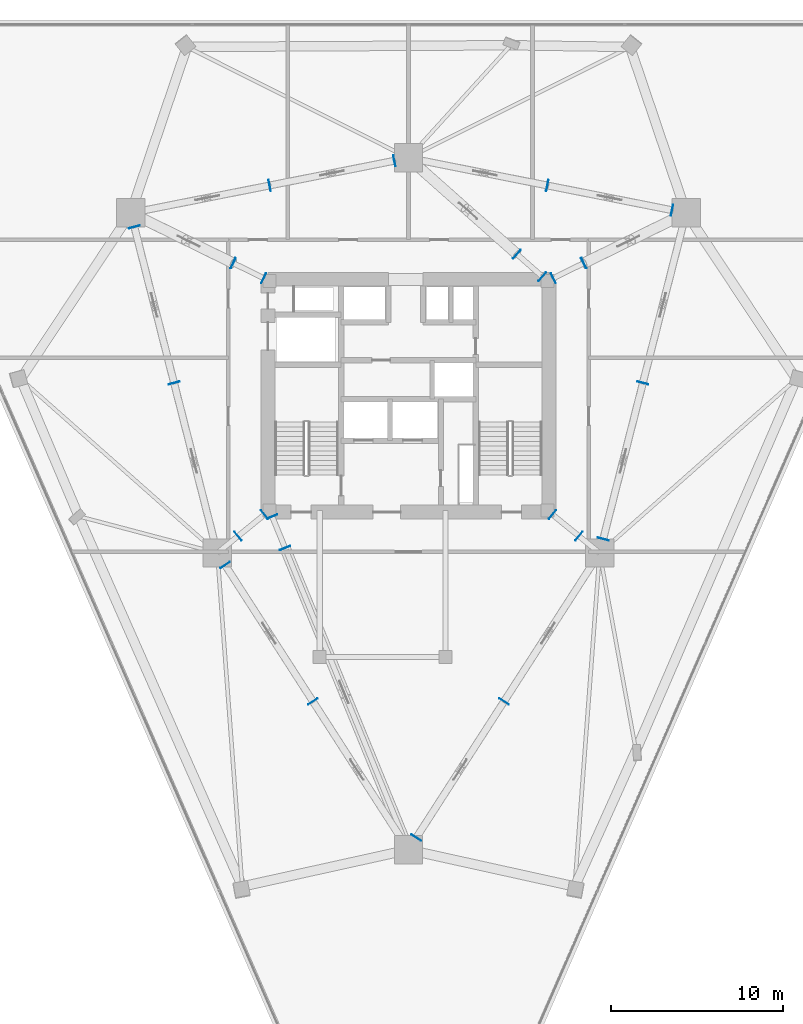
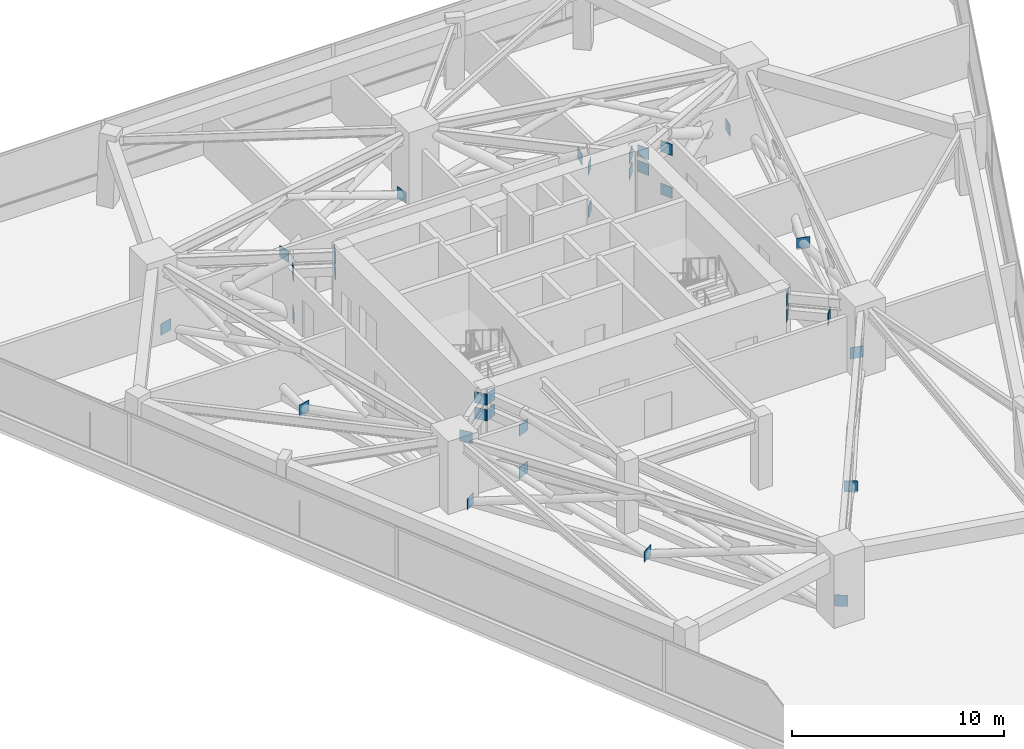
# One storey, part 11 of 15: 34 plates.
"""IFC4 building model written with IfcOpenShell, lengths in metres."""

import ifcopenshell
import ifcopenshell.guid

model = None  # the IFC model being written
_history = None  # IfcOwnerHistory: only IFC2X3 demands one
_inside = {}  # id of a spatial element -> (the spatial element, [elements in it])
_under = {}  # id of a project, library or spatial element -> (it, [spatial elements below it])
_declared = {}  # id of a project -> (the project, [libraries it declares])
_typed = {}  # id of a type object -> (the type object, [elements of that type])
_made_of = {}  # id of a material, layer set ... -> (it, [elements and type objects made of it])


def new_model(schema):
    """Start an empty IFC model of exactly this schema.

    Asked for "IFC4X3", IfcOpenShell would pick the latest addendum, in which some entities
    have other attributes; the version numbers below select the first issue.
    IFC2X3 requires an IfcOwnerHistory on every rooted entity: one is made here for all.
    """
    global model, _history
    if schema == "IFC4X3":
        model = ifcopenshell.file(schema_version=(4, 3, 0, 0))
    else:
        model = ifcopenshell.file(schema=schema)
    _inside.clear()
    _under.clear()
    _declared.clear()
    _typed.clear()
    _made_of.clear()
    _history = None
    if model.schema == "IFC2X3":
        org = make("IfcOrganization", Name="unknown")
        user = make(
            "IfcPersonAndOrganization",
            ThePerson=make("IfcPerson", FamilyName="unknown"),
            TheOrganization=org,
        )
        app = make(
            "IfcApplication",
            ApplicationDeveloper=org,
            Version="unknown",
            ApplicationFullName="unknown",
            ApplicationIdentifier="unknown",
        )
        _history = make(
            "IfcOwnerHistory",
            OwningUser=user,
            OwningApplication=app,
            ChangeAction="ADDED",
            CreationDate=0,
        )
    return model


def make(cls, **values):
    """One entity of the class cls with the attributes given. An attribute that is None is left unset."""
    return model.create_entity(
        cls, **{name: value for name, value in values.items() if value is not None}
    )


def rooted(cls, **values):
    """An entity with a GlobalId (a new one), such as an element, a storey or a relation."""
    return make(cls, GlobalId=ifcopenshell.guid.new(), OwnerHistory=_history, **values)


def si_unit(unit_type, name, prefix=None):
    """IfcSIUnit, for example si_unit("LENGTHUNIT", "METRE", prefix="MILLI")."""
    return make("IfcSIUnit", UnitType=unit_type, Prefix=prefix, Name=name)


def assignment(units):
    """IfcUnitAssignment: the units of a project."""
    return None if units is None else make("IfcUnitAssignment", Units=units)


def point(xyz):
    """IfcCartesianPoint."""
    return None if xyz is None else make("IfcCartesianPoint", Coordinates=xyz)


def direction(xyz):
    """IfcDirection."""
    return None if xyz is None else make("IfcDirection", DirectionRatios=xyz)


def frame(location, z_axis=None, x_axis=None):
    """IfcAxis2Placement3D, a coordinate frame: its origin and axes. An axis left out is left unset."""
    return make(
        "IfcAxis2Placement3D",
        Location=point(location),
        Axis=direction(z_axis),
        RefDirection=direction(x_axis),
    )


def frame_2d(location, x_axis=None):
    """IfcAxis2Placement2D, a coordinate frame in the plane: its origin and x axis."""
    return make(
        "IfcAxis2Placement2D", Location=point(location), RefDirection=direction(x_axis)
    )


def origin():
    """The frame at (0, 0, 0) with its axes left unset."""
    return frame((0.0, 0.0, 0.0))


def origin_2d():
    """The frame at (0, 0) in the plane with its x axis left unset."""
    return frame_2d((0.0, 0.0))


def place(relative_to, where):
    """IfcLocalPlacement: puts the frame where relative to a parent placement (None: the world)."""
    return make(
        "IfcLocalPlacement", PlacementRelTo=relative_to, RelativePlacement=where
    )


def context(
    kind, dimensions, precision=None, world=None, true_north=None, identifier=None
):
    """IfcGeometricRepresentationContext, for example the 3D "Model" context."""
    return make(
        "IfcGeometricRepresentationContext",
        ContextIdentifier=identifier,
        ContextType=kind,
        CoordinateSpaceDimension=dimensions,
        Precision=precision,
        WorldCoordinateSystem=world,
        TrueNorth=true_north,
    )


def subcontext(parent, identifier, kind, view, scale=None):
    """IfcGeometricRepresentationSubContext, for example "Body" below "Model"."""
    return make(
        "IfcGeometricRepresentationSubContext",
        ContextIdentifier=identifier,
        ContextType=kind,
        ParentContext=parent,
        TargetScale=scale,
        TargetView=view,
    )


def project(units=None, contexts=None):
    """IfcProject with its units and contexts."""
    return rooted(
        "IfcProject",
        Name="project",
        RepresentationContexts=contexts,
        UnitsInContext=assignment(units),
    )


def spatial(cls, under=None, at=None, **own):
    """A site, building, storey or space (cls), placed at a placement, below another one or the project."""
    s = rooted(cls, ObjectPlacement=at, **own)
    if under is not None:
        _under.setdefault(under.id(), (under, []))[1].append(s)
    return s


def profile(cls, at=None, kind="AREA", **sizes):
    """A parametric profile (cls). Its sizes go by their IFC names, for example OverallWidth=200.0."""
    return make(cls, ProfileType=kind, Position=at, **sizes)


def rectangle(**sizes):
    """IfcRectangleProfileDef."""
    return profile("IfcRectangleProfileDef", **sizes)


def extrude(swept, where, along, depth):
    """IfcExtrudedAreaSolid: the profile swept, set in the frame where, extruded along a direction by depth."""
    return make(
        "IfcExtrudedAreaSolid",
        SweptArea=swept,
        Position=where,
        ExtrudedDirection=direction(along),
        Depth=depth,
    )


def shape(context_of_items, identifier, shape_type, items):
    """IfcShapeRepresentation: the items that make up one representation, for example the "Body"."""
    return make(
        "IfcShapeRepresentation",
        ContextOfItems=context_of_items,
        RepresentationIdentifier=identifier,
        RepresentationType=shape_type,
        Items=items,
    )


def material(Name=None, Category=None):
    """IfcMaterial."""
    return make("IfcMaterial", Name=Name, Category=Category)


def layer(
    of_material, thickness, ventilated=None, Name=None, Category=None, Priority=None
):
    """IfcMaterialLayer: one layer of a wall or slab, of a material (None: an air gap)."""
    return make(
        "IfcMaterialLayer",
        Material=of_material,
        LayerThickness=thickness,
        IsVentilated=ventilated,
        Name=Name,
        Category=Category,
        Priority=Priority,
    )


def layer_set(layers, Name=None):
    """IfcMaterialLayerSet."""
    return make("IfcMaterialLayerSet", MaterialLayers=layers, LayerSetName=Name)


def made_of(thing, what):
    """Note that an element or type object is made of a material, layer set ...; save() writes the relation."""
    if what is not None:
        _made_of.setdefault(what.id(), (what, []))[1].append(thing)
    return thing


def type_object(cls, material=None, **own):
    """A type object (cls), such as IfcWallType, which elements share."""
    return made_of(rooted(cls, **own), material)


def element(
    cls,
    number,
    at=None,
    inside=None,
    cuts=None,
    type_object=None,
    material=None,
    context=None,
    identifier="Body",
    shape_type=None,
    held_by="IfcProductDefinitionShape",
    body=None,
    shapes=None,
    **own,
):
    """One element of the class cls, such as IfcWall. Its Tag is "e" and its number.

    at: its placement. inside: the storey or other place that contains it. cuts: it is an
    opening in that element (IfcRelVoidsElement). A single representation is given by context,
    identifier, shape_type and body (its items); several are given by shapes. held_by: the class
    of the entity that holds the representations. save() writes the other relations.
    """
    e = rooted(cls, Tag="e%d" % number, ObjectPlacement=at, **own)
    if body is not None:
        shapes = [shape(context, identifier, shape_type, body)]
    if shapes is not None:
        e.Representation = make(held_by, Representations=shapes)
    if inside is not None:
        _inside.setdefault(inside.id(), (inside, []))[1].append(e)
    if cuts is not None:
        rooted(
            "IfcRelVoidsElement", RelatingBuildingElement=cuts, RelatedOpeningElement=e
        )
    if type_object is not None:
        _typed.setdefault(type_object.id(), (type_object, []))[1].append(e)
    return made_of(e, material)


def aggregate(whole, parts):
    """IfcRelAggregates: a whole, such as a stair, and the parts it consists of."""
    return rooted("IfcRelAggregates", RelatingObject=whole, RelatedObjects=parts)


def save(model, path):
    """Write the relations noted so far, then the file.

    IfcRelAggregates (storeys below a building ...), IfcRelContainedInSpatialStructure (elements
    in a storey), IfcRelDefinesByType, IfcRelAssociatesMaterial and IfcRelDeclares: one each for
    every whole, place, type object, material and project.
    """
    for whole, parts in _under.values():
        aggregate(whole, parts)
    for where, things in _inside.values():
        rooted(
            "IfcRelContainedInSpatialStructure",
            RelatedElements=things,
            RelatingStructure=where,
        )
    for kind, things in _typed.values():
        rooted("IfcRelDefinesByType", RelatedObjects=things, RelatingType=kind)
    for what, things in _made_of.values():
        rooted("IfcRelAssociatesMaterial", RelatedObjects=things, RelatingMaterial=what)
    for by, libraries in _declared.values():
        rooted("IfcRelDeclares", RelatingContext=by, RelatedDefinitions=libraries)
    model.write(path)


model = new_model("IFC4")

# Units and contexts
model_context = context("Model", 3, precision=1e-05, world=origin(), true_north=direction((0.0, 1.0)))
body_context = subcontext(model_context, "Body", "Model", "MODEL_VIEW")
ifc_project = project(units=[si_unit("LENGTHUNIT", "METRE"), si_unit("AREAUNIT", "SQUARE_METRE"), si_unit("VOLUMEUNIT", "CUBIC_METRE"), si_unit("PLANEANGLEUNIT", "RADIAN"), si_unit("MASSUNIT", "GRAM", prefix="KILO")], contexts=[model_context])

# Site, building, storey
site_placement = place(None, origin())
site = spatial("IfcSite", under=ifc_project, at=site_placement, CompositionType="ELEMENT")
building_placement = place(site_placement, origin())
building = spatial("IfcBuilding", under=site, at=building_placement, Name="Talyreon Biosciences Tower", CompositionType="ELEMENT")
storey_placement = place(building_placement, frame((0.0, 0.0, 118.800048828125)))
storey = spatial("IfcBuildingStorey", under=building, at=storey_placement, Name="L31", CompositionType="ELEMENT", Elevation=118.800048828125)

# Plates
ifc_material = material(Name="Steel SM355", Category="steel")
ifc_layer = layer(ifc_material, 0.028076171875)
ifc_layer_set = layer_set([ifc_layer], Name="Steel SM355")
plate_type = type_object("IfcPlateType", Name="HollowEndCapPlate_28", PredefinedType="SHEET", material=ifc_layer_set)
for number, where, z_axis, x_axis, name in (
    (1, (58.095703125, 60.99365234375, 3.27490234375), (0.0, 0.0, 1.0), (0.925580150933, 0.378551692902, 0.0), "Truss node plate NP-L31-OC-1"),
    (2, (58.095703125, 60.99365234375, 2.375), (0.0, 0.0, 1.0), (0.925580150933, 0.378551692902, 0.0), "Truss node plate NP-L31-OCM0-1"),
    (3, (58.844970703125, 59.161865234375, 2.375), (0.0, 0.0, 1.0), (0.925580150933, 0.378551692902, 0.0), "Truss node plate NP-L31-OCM1-1"),
    (4, (58.839599609375, 59.1748046875, -0.0849609375), (0.0, 0.0, 1.0), (0.925580150933, 0.378551692902, 0.0), "Truss node plate NP-OUT-L31-R1-E"),
    (5, (74.3486328125, 61.107177734375, 3.27490234375), (0.0, 0.0, 1.0), (0.631000821652, 0.775782162127, 0.0), "Truss node plate NP-L31-OC-2"),
    (6, (74.3486328125, 61.107177734375, 2.375), (0.0, 0.0, 1.0), (0.631000821652, 0.775782162127, 0.0), "Truss node plate NP-L31-OCM0-2"),
    (7, (75.884033203125, 59.8583984375, 2.375), (0.0, 0.0, 1.0), (0.631000821652, 0.775782162127, 0.0), "Truss node plate NP-L31-OCM1-2"),
    (8, (74.395751953125, 74.819580078125, 3.27490234375), (0.0, 0.0, 1.0), (-0.440283955252, 0.89785858505, 0.0), "Truss node plate NP-L31-OC-3"),
    (9, (74.395751953125, 74.819580078125, 2.375), (0.0, 0.0, 1.0), (-0.440283955252, 0.89785858505, 0.0), "Truss node plate NP-L31-OCM0-3"),
    (10, (76.172607421875, 75.69091796875, 2.375), (0.0, 0.0, 1.0), (-0.440283955252, 0.89785858505, 0.0), "Truss node plate NP-L31-OCM1-3"),
    (11, (76.159912109375, 75.684814453125, -0.0849609375), (0.0, 0.0, 1.0), (-0.440283955252, 0.89785858505, 0.0), "Truss node plate NP-OUT-L31-R3-E"),
    (12, (73.761962890625, 74.905517578125, 3.27490234375), (0.0, 0.0, 1.0), (-0.663495401773, -0.748180360492, 0.0), "Truss node plate NP-L31-OC-4"),
    (13, (73.761962890625, 74.905517578125, 2.375), (0.0, 0.0, 1.0), (-0.663495401773, -0.748180360492, 0.0), "Truss node plate NP-L31-OCM0-4"),
    (14, (72.28125, 76.218505859375, 2.375), (0.0, 0.0, 1.0), (-0.663495401773, -0.748180360492, 0.0), "Truss node plate NP-L31-OCM1-4"),
    (15, (72.291748046875, 76.209228515625, -0.0849609375), (0.0, 0.0, 1.0), (-0.663495401773, -0.748180360492, 0.0), "Truss node plate NP-OUT-L31-R4-E"),
    (16, (57.604248046875, 74.819580078125, 3.27490234375), (0.0, 0.0, 1.0), (-0.440283955252, -0.89785858505, 0.0), "Truss node plate NP-L31-OC-5"),
    (17, (57.604248046875, 74.819580078125, 2.375), (0.0, 0.0, 1.0), (-0.440283955252, -0.89785858505, 0.0), "Truss node plate NP-L31-OCM0-5"),
    (18, (55.827392578125, 75.69091796875, 2.375), (0.0, 0.0, 1.0), (-0.440283955252, -0.89785858505, 0.0), "Truss node plate NP-L31-OCM1-5"),
    (19, (55.840087890625, 75.684814453125, -0.0849609375), (0.0, 0.0, 1.0), (-0.440283955252, -0.89785858505, 0.0), "Truss node plate NP-OUT-L31-R5-E"),
    (20, (57.6513671875, 61.107177734375, 3.27490234375), (0.0, 0.0, 1.0), (0.631000821652, -0.775782162127, 0.0), "Truss node plate NP-L31-OC-6"),
    (21, (57.6513671875, 61.107177734375, 2.375), (0.0, 0.0, 1.0), (0.631000821652, -0.775782162127, 0.0), "Truss node plate NP-L31-OCM0-6"),
    (22, (56.115966796875, 59.8583984375, 2.375), (0.0, 0.0, 1.0), (0.631000821652, -0.775782162127, 0.0), "Truss node plate NP-L31-OCM1-6"),
    (23, (66.4521484375, 42.368896484375, -0.0849609375), (0.0, 0.0, 1.0), (-0.840727294555, 0.54145878531, 0.0), "Truss node plate NP-BELT-L31-B1S1-E"),
    (24, (71.543212890625, 50.273681640625, -0.0849609375), (0.0, 0.0, 1.0), (-0.840727294555, 0.54145878531, 0.0), "Truss node plate NP-BELT-L31-B1S2-E"),
    (25, (77.2919921875, 59.689697265625, -0.0849609375), (0.0, 0.0, 1.0), (-0.969132019352, 0.246542347409, 0.0), "Truss node plate NP-BELT-L31-B2S1-E"),
    (26, (79.59423828125, 68.739501953125, -0.0849609375), (0.0, 0.0, 1.0), (-0.969132019352, 0.246542347409, 0.0), "Truss node plate NP-BELT-L31-B2S2-E"),
    (27, (81.283203125, 78.760986328125, -0.0849609375), (0.0, 0.0, 1.0), (-0.194337075538, -0.980934809797, 0.0), "Truss node plate NP-BELT-L31-B3S1-E"),
    (28, (74.05126953125, 80.19384765625, -0.0849609375), (0.0, 0.0, 1.0), (-0.194337075538, -0.980934809797, 0.0), "Truss node plate NP-BELT-L31-B3S2-E"),
    (29, (65.180908203125, 81.626708984375, -0.0849609375), (0.0, 0.0, 1.0), (0.194337075538, -0.980934809797, 0.0), "Truss node plate NP-BELT-L31-B4S1-E"),
    (30, (57.94873046875, 80.19384765625, -0.0849609375), (0.0, 0.0, 1.0), (0.194337075538, -0.980934809797, 0.0), "Truss node plate NP-BELT-L31-B4S2-E"),
    (31, (50.103515625, 77.78955078125, -0.0849609375), (0.0, 0.0, 1.0), (0.969132019352, 0.246542347409, 0.0), "Truss node plate NP-BELT-L31-B5S1-E"),
    (32, (52.40576171875, 68.739501953125, -0.0849609375), (0.0, 0.0, 1.0), (0.969132019352, 0.246542347409, 0.0), "Truss node plate NP-BELT-L31-B5S2-E"),
    (33, (55.365966796875, 58.178466796875, -0.0849609375), (0.0, 0.0, 1.0), (0.840727294555, 0.54145878531, 0.0), "Truss node plate NP-BELT-L31-B6S1-E"),
    (34, (60.456787109375, 50.273681640625, -0.0849609375), (0.0, 0.0, 1.0), (0.840727294555, 0.54145878531, 0.0), "Truss node plate NP-BELT-L31-B6S2-E"),
):
    element("IfcPlate", number, at=place(storey_placement, frame(where, z_axis=z_axis, x_axis=x_axis)), inside=storey, type_object=plate_type, Name=name, PredefinedType="SHEET", context=body_context, shape_type="SweptSolid", body=[
        extrude(rectangle(XDim=0.64990234375, YDim=0.028076171875, at=origin_2d()), origin(), (0.0, 0.0, 1.0), 0.64990234375),
    ])

save(model, "model.ifc")
